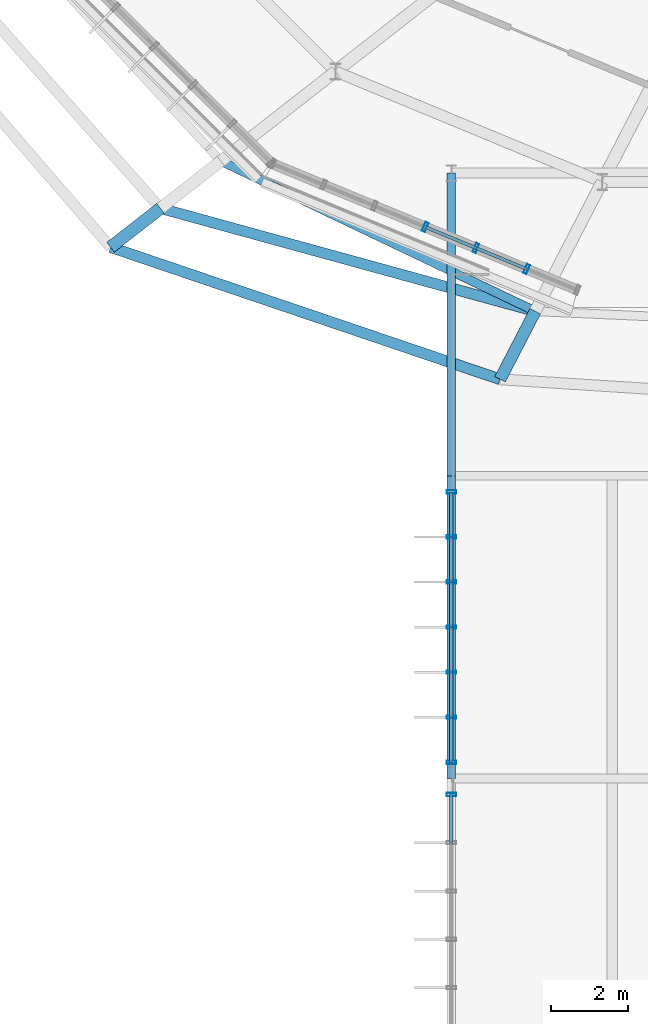
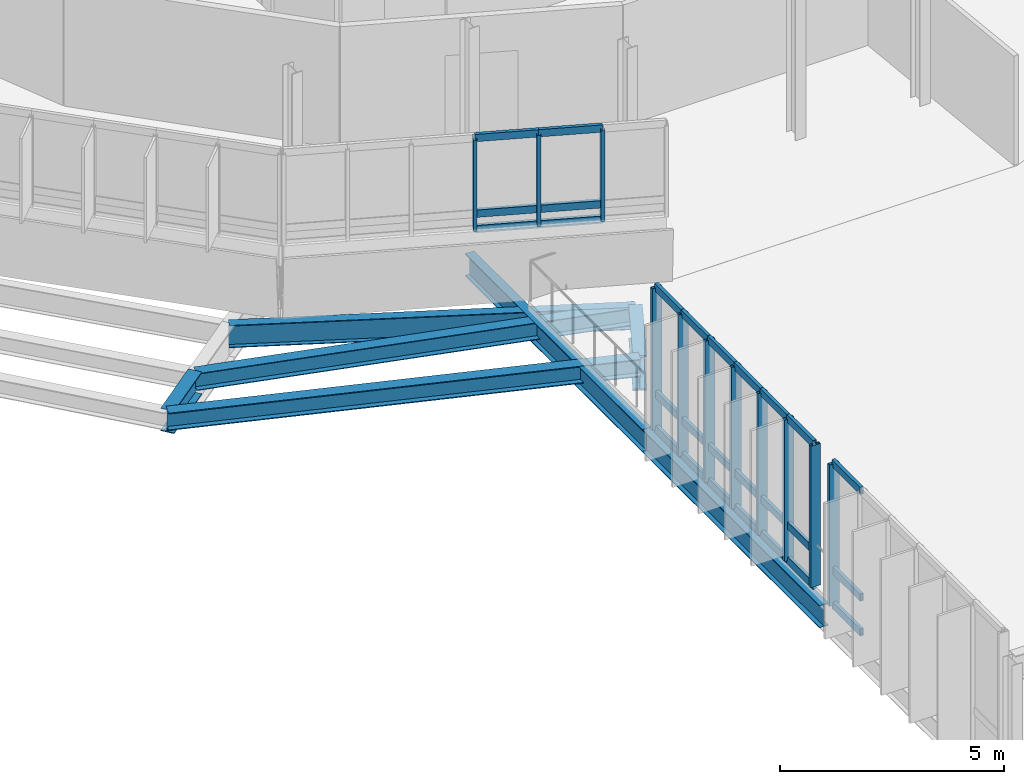
# One storey, part 17 of 107: 38 members, 7 beams, 3 elements without a shape of their own.
"""IFC4 building model written with IfcOpenShell, lengths in metres."""

import ifcopenshell
import ifcopenshell.guid

model = None  # the IFC model being written
_history = None  # IfcOwnerHistory: only IFC2X3 demands one
_inside = {}  # id of a spatial element -> (the spatial element, [elements in it])
_under = {}  # id of a project, library or spatial element -> (it, [spatial elements below it])
_declared = {}  # id of a project -> (the project, [libraries it declares])
_typed = {}  # id of a type object -> (the type object, [elements of that type])
_made_of = {}  # id of a material, layer set ... -> (it, [elements and type objects made of it])


def new_model(schema):
    """Start an empty IFC model of exactly this schema.

    Asked for "IFC4X3", IfcOpenShell would pick the latest addendum, in which some entities
    have other attributes; the version numbers below select the first issue.
    IFC2X3 requires an IfcOwnerHistory on every rooted entity: one is made here for all.
    """
    global model, _history
    if schema == "IFC4X3":
        model = ifcopenshell.file(schema_version=(4, 3, 0, 0))
    else:
        model = ifcopenshell.file(schema=schema)
    _inside.clear()
    _under.clear()
    _declared.clear()
    _typed.clear()
    _made_of.clear()
    _history = None
    if model.schema == "IFC2X3":
        org = make("IfcOrganization", Name="unknown")
        user = make(
            "IfcPersonAndOrganization",
            ThePerson=make("IfcPerson", FamilyName="unknown"),
            TheOrganization=org,
        )
        app = make(
            "IfcApplication",
            ApplicationDeveloper=org,
            Version="unknown",
            ApplicationFullName="unknown",
            ApplicationIdentifier="unknown",
        )
        _history = make(
            "IfcOwnerHistory",
            OwningUser=user,
            OwningApplication=app,
            ChangeAction="ADDED",
            CreationDate=0,
        )
    return model


def make(cls, **values):
    """One entity of the class cls with the attributes given. An attribute that is None is left unset."""
    return model.create_entity(
        cls, **{name: value for name, value in values.items() if value is not None}
    )


def rooted(cls, **values):
    """An entity with a GlobalId (a new one), such as an element, a storey or a relation."""
    return make(cls, GlobalId=ifcopenshell.guid.new(), OwnerHistory=_history, **values)


def si_unit(unit_type, name, prefix=None):
    """IfcSIUnit, for example si_unit("LENGTHUNIT", "METRE", prefix="MILLI")."""
    return make("IfcSIUnit", UnitType=unit_type, Prefix=prefix, Name=name)


def derived_unit(unit_type, elements):
    """IfcDerivedUnit: a product of units, each with its exponent."""
    return make(
        "IfcDerivedUnit",
        Elements=[
            make("IfcDerivedUnitElement", Unit=unit, Exponent=power)
            for unit, power in elements
        ],
        UnitType=unit_type,
    )


def assignment(units):
    """IfcUnitAssignment: the units of a project."""
    return None if units is None else make("IfcUnitAssignment", Units=units)


def point(xyz):
    """IfcCartesianPoint."""
    return None if xyz is None else make("IfcCartesianPoint", Coordinates=xyz)


def direction(xyz):
    """IfcDirection."""
    return None if xyz is None else make("IfcDirection", DirectionRatios=xyz)


def frame(location, z_axis=None, x_axis=None):
    """IfcAxis2Placement3D, a coordinate frame: its origin and axes. An axis left out is left unset."""
    return make(
        "IfcAxis2Placement3D",
        Location=point(location),
        Axis=direction(z_axis),
        RefDirection=direction(x_axis),
    )


def frame_2d(location, x_axis=None):
    """IfcAxis2Placement2D, a coordinate frame in the plane: its origin and x axis."""
    return make(
        "IfcAxis2Placement2D", Location=point(location), RefDirection=direction(x_axis)
    )


def origin():
    """The frame at (0, 0, 0) with its axes left unset."""
    return frame((0.0, 0.0, 0.0))


def origin_2d():
    """The frame at (0, 0) in the plane with its x axis left unset."""
    return frame_2d((0.0, 0.0))


def place(relative_to, where):
    """IfcLocalPlacement: puts the frame where relative to a parent placement (None: the world)."""
    return make(
        "IfcLocalPlacement", PlacementRelTo=relative_to, RelativePlacement=where
    )


def context(
    kind, dimensions, precision=None, world=None, true_north=None, identifier=None
):
    """IfcGeometricRepresentationContext, for example the 3D "Model" context."""
    return make(
        "IfcGeometricRepresentationContext",
        ContextIdentifier=identifier,
        ContextType=kind,
        CoordinateSpaceDimension=dimensions,
        Precision=precision,
        WorldCoordinateSystem=world,
        TrueNorth=true_north,
    )


def subcontext(parent, identifier, kind, view, scale=None):
    """IfcGeometricRepresentationSubContext, for example "Body" below "Model"."""
    return make(
        "IfcGeometricRepresentationSubContext",
        ContextIdentifier=identifier,
        ContextType=kind,
        ParentContext=parent,
        TargetScale=scale,
        TargetView=view,
    )


def project(units=None, contexts=None):
    """IfcProject with its units and contexts."""
    return rooted(
        "IfcProject",
        Name="project",
        RepresentationContexts=contexts,
        UnitsInContext=assignment(units),
    )


def spatial(cls, under=None, at=None, **own):
    """A site, building, storey or space (cls), placed at a placement, below another one or the project."""
    s = rooted(cls, ObjectPlacement=at, **own)
    if under is not None:
        _under.setdefault(under.id(), (under, []))[1].append(s)
    return s


def profile(cls, at=None, kind="AREA", **sizes):
    """A parametric profile (cls). Its sizes go by their IFC names, for example OverallWidth=200.0."""
    return make(cls, ProfileType=kind, Position=at, **sizes)


def hollow_rectangle(**sizes):
    """IfcRectangleHollowProfileDef."""
    return profile("IfcRectangleHollowProfileDef", **sizes)


def i_section(**sizes):
    """IfcIShapeProfileDef."""
    return profile("IfcIShapeProfileDef", **sizes)


def extrude(swept, where, along, depth):
    """IfcExtrudedAreaSolid: the profile swept, set in the frame where, extruded along a direction by depth."""
    return make(
        "IfcExtrudedAreaSolid",
        SweptArea=swept,
        Position=where,
        ExtrudedDirection=direction(along),
        Depth=depth,
    )


def shape(context_of_items, identifier, shape_type, items):
    """IfcShapeRepresentation: the items that make up one representation, for example the "Body"."""
    return make(
        "IfcShapeRepresentation",
        ContextOfItems=context_of_items,
        RepresentationIdentifier=identifier,
        RepresentationType=shape_type,
        Items=items,
    )


def material(Name=None, Category=None):
    """IfcMaterial."""
    return make("IfcMaterial", Name=Name, Category=Category)


def layer(
    of_material, thickness, ventilated=None, Name=None, Category=None, Priority=None
):
    """IfcMaterialLayer: one layer of a wall or slab, of a material (None: an air gap)."""
    return make(
        "IfcMaterialLayer",
        Material=of_material,
        LayerThickness=thickness,
        IsVentilated=ventilated,
        Name=Name,
        Category=Category,
        Priority=Priority,
    )


def layer_set(layers, Name=None):
    """IfcMaterialLayerSet."""
    return make("IfcMaterialLayerSet", MaterialLayers=layers, LayerSetName=Name)


def material_profile(
    of_material, cross_section, Name=None, Category=None, Priority=None
):
    """IfcMaterialProfile: a cross section and its material."""
    return make(
        "IfcMaterialProfile",
        Name=Name,
        Material=of_material,
        Profile=cross_section,
        Priority=Priority,
        Category=Category,
    )


def profile_set(profiles, Name=None, composite=None):
    """IfcMaterialProfileSet."""
    return make(
        "IfcMaterialProfileSet",
        Name=Name,
        MaterialProfiles=profiles,
        CompositeProfile=composite,
    )


def made_of(thing, what):
    """Note that an element or type object is made of a material, layer set ...; save() writes the relation."""
    if what is not None:
        _made_of.setdefault(what.id(), (what, []))[1].append(thing)
    return thing


def type_object(cls, material=None, **own):
    """A type object (cls), such as IfcWallType, which elements share."""
    return made_of(rooted(cls, **own), material)


def element(
    cls,
    number,
    at=None,
    inside=None,
    cuts=None,
    type_object=None,
    material=None,
    context=None,
    identifier="Body",
    shape_type=None,
    held_by="IfcProductDefinitionShape",
    body=None,
    shapes=None,
    **own,
):
    """One element of the class cls, such as IfcWall. Its Tag is "e" and its number.

    at: its placement. inside: the storey or other place that contains it. cuts: it is an
    opening in that element (IfcRelVoidsElement). A single representation is given by context,
    identifier, shape_type and body (its items); several are given by shapes. held_by: the class
    of the entity that holds the representations. save() writes the other relations.
    """
    e = rooted(cls, Tag="e%d" % number, ObjectPlacement=at, **own)
    if body is not None:
        shapes = [shape(context, identifier, shape_type, body)]
    if shapes is not None:
        e.Representation = make(held_by, Representations=shapes)
    if inside is not None:
        _inside.setdefault(inside.id(), (inside, []))[1].append(e)
    if cuts is not None:
        rooted(
            "IfcRelVoidsElement", RelatingBuildingElement=cuts, RelatedOpeningElement=e
        )
    if type_object is not None:
        _typed.setdefault(type_object.id(), (type_object, []))[1].append(e)
    return made_of(e, material)


def aggregate(whole, parts):
    """IfcRelAggregates: a whole, such as a stair, and the parts it consists of."""
    return rooted("IfcRelAggregates", RelatingObject=whole, RelatedObjects=parts)


def save(model, path):
    """Write the relations noted so far, then the file.

    IfcRelAggregates (storeys below a building ...), IfcRelContainedInSpatialStructure (elements
    in a storey), IfcRelDefinesByType, IfcRelAssociatesMaterial and IfcRelDeclares: one each for
    every whole, place, type object, material and project.
    """
    for whole, parts in _under.values():
        aggregate(whole, parts)
    for where, things in _inside.values():
        rooted(
            "IfcRelContainedInSpatialStructure",
            RelatedElements=things,
            RelatingStructure=where,
        )
    for kind, things in _typed.values():
        rooted("IfcRelDefinesByType", RelatedObjects=things, RelatingType=kind)
    for what, things in _made_of.values():
        rooted("IfcRelAssociatesMaterial", RelatedObjects=things, RelatingMaterial=what)
    for by, libraries in _declared.values():
        rooted("IfcRelDeclares", RelatingContext=by, RelatedDefinitions=libraries)
    model.write(path)


model = new_model("IFC4")

# Units and contexts
model_context = context("Model", 3, precision=1e-05, world=origin(), true_north=direction((0.0, 1.0)))
body_context = subcontext(model_context, "Body", "Model", "MODEL_VIEW")
ifc_project = project(units=[si_unit("LENGTHUNIT", "METRE"), si_unit("AREAUNIT", "SQUARE_METRE"), si_unit("VOLUMEUNIT", "CUBIC_METRE"), si_unit("PLANEANGLEUNIT", "RADIAN"), si_unit("MASSUNIT", "GRAM", prefix="KILO"), derived_unit("THERMALTRANSMITTANCEUNIT", [(si_unit("MASSUNIT", "GRAM", prefix="KILO"), 1), (si_unit("TIMEUNIT", "SECOND"), -3), (si_unit("THERMODYNAMICTEMPERATUREUNIT", "KELVIN"), -1)])], contexts=[model_context])

# Site, building, storey
site_placement = place(None, origin())
site = spatial("IfcSite", under=ifc_project, at=site_placement, CompositionType="ELEMENT")
building_placement = place(site_placement, origin())
building = spatial("IfcBuilding", under=site, at=building_placement, Name="Makaiwela Harbour Ferry Terminal", CompositionType="ELEMENT")
storey_placement = place(building_placement, frame((0.0, 0.0, 9.60009765625)))
storey = spatial("IfcBuildingStorey", under=building, at=storey_placement, Name="L02", CompositionType="ELEMENT", Elevation=9.60009765625)

# Curtain wall, members
ifc_material_1 = material(Name="Marine anodised aluminium 6063-T6", Category="aluminium")
ifc_layer_1 = layer(ifc_material_1, 0.199951171875)
ifc_layer_set_1 = layer_set([ifc_layer_1], Name="Marine anodised aluminium 6063-T6")
curtain_wall_type_1 = type_object("IfcCurtainWallType", Name="ENV-CW-04", PredefinedType="USERDEFINED", material=ifc_layer_set_1)
curtain_wall_1_placement = place(storey_placement, origin())
curtain_wall_1 = element("IfcCurtainWall", 1, at=curtain_wall_1_placement, inside=storey, type_object=curtain_wall_type_1, Name="Unitised Curtain Wall CWA-026", ObjectType="UNITIZED CURTAIN WALL", PredefinedType="USERDEFINED")
ifc_material_profile_1 = material_profile(ifc_material_1, hollow_rectangle(XDim=0.0849609375, YDim=0.25, WallThickness=0.0048828125, at=origin_2d()), Name="CWM-250X85")
ifc_profile_set_1 = profile_set([ifc_material_profile_1], Name="Marine anodised aluminium 6063-T6")
member_type_1 = type_object("IfcMemberType", Name="CW-MUL-250", PredefinedType="MULLION", material=ifc_profile_set_1)
member_1_placement = place(storey_placement, frame((28.717529296875, 47.993896484375, 1.47998046875), z_axis=(0.0, 0.0, 1.0), x_axis=(-0.923879532511, 0.382683432365, 0.0)))
member_1 = element("IfcMember", 2, at=member_1_placement, type_object=member_type_1, Name="Curtain Wall Mullion CWA-026-4", PredefinedType="MULLION", context=body_context, shape_type="SweptSolid", body=[
    extrude(hollow_rectangle(XDim=0.0849609375, YDim=0.25, WallThickness=0.0048828125, at=origin_2d()), origin(), (0.0, 0.0, 1.0), 2.47998046875),
])
member_2_placement = place(storey_placement, frame((30.042236328125, 47.4453125, 1.47998046875), z_axis=(0.0, 0.0, 1.0), x_axis=(-0.923879532511, 0.382683432365, 0.0)))
member_2 = element("IfcMember", 3, at=member_2_placement, type_object=member_type_1, Name="Curtain Wall Mullion CWA-026-5", PredefinedType="MULLION", context=body_context, shape_type="SweptSolid", body=[
    extrude(hollow_rectangle(XDim=0.0849609375, YDim=0.25, WallThickness=0.0048828125, at=origin_2d()), origin(), (0.0, 0.0, 1.0), 2.47998046875),
])
member_3_placement = place(storey_placement, frame((31.36669921875, 46.896728515625, 1.47998046875), z_axis=(0.0, 0.0, 1.0), x_axis=(-0.923879532511, 0.382683432365, 0.0)))
member_3 = element("IfcMember", 4, at=member_3_placement, type_object=member_type_1, Name="Curtain Wall Mullion CWA-026-6", PredefinedType="MULLION", context=body_context, shape_type="SweptSolid", body=[
    extrude(hollow_rectangle(XDim=0.0849609375, YDim=0.25, WallThickness=0.0048828125, at=origin_2d()), origin(), (0.0, 0.0, 1.0), 2.47998046875),
])

# Curtain wall, member
ifc_layer_2 = layer(ifc_material_1, 0.199951171875)
ifc_layer_set_2 = layer_set([ifc_layer_2], Name="Marine anodised aluminium 6063-T6")
curtain_wall_type_2 = type_object("IfcCurtainWallType", Name="ENV-CW-09", PredefinedType="USERDEFINED", material=ifc_layer_set_2)
curtain_wall_2_placement = place(storey_placement, origin())
curtain_wall_2 = element("IfcCurtainWall", 5, at=curtain_wall_2_placement, inside=storey, type_object=curtain_wall_type_2, Name="Unitised Curtain Wall CWA-116", ObjectType="UNITIZED CURTAIN WALL", PredefinedType="USERDEFINED")
member_4_placement = place(storey_placement, frame((29.39990234375, 33.179931640625, 0.0), z_axis=(0.0, 0.0, 1.0), x_axis=(0.0, 1.0, 0.0)))
member_4 = element("IfcMember", 6, at=member_4_placement, type_object=member_type_1, Name="Curtain Wall Mullion CWA-116-7", PredefinedType="MULLION", context=body_context, shape_type="SweptSolid", body=[
    extrude(hollow_rectangle(XDim=0.0849609375, YDim=0.25, WallThickness=0.0048828125, at=origin_2d()), origin(), (0.0, 0.0, 1.0), 3.849853515625),
])

# Curtain wall, members
ifc_layer_3 = layer(ifc_material_1, 0.199951171875)
ifc_layer_set_3 = layer_set([ifc_layer_3], Name="Marine anodised aluminium 6063-T6")
curtain_wall_type_3 = type_object("IfcCurtainWallType", Name="ENV-CW-14", PredefinedType="USERDEFINED", material=ifc_layer_set_3)
curtain_wall_3_placement = place(storey_placement, origin())
curtain_wall_3 = element("IfcCurtainWall", 7, at=curtain_wall_3_placement, inside=storey, type_object=curtain_wall_type_3, Name="Unitised Curtain Wall CWA-119", ObjectType="UNITIZED CURTAIN WALL", PredefinedType="USERDEFINED")
member_5_placement = place(storey_placement, frame((29.39990234375, 34.02001953125, 0.0), z_axis=(0.0, 0.0, 1.0), x_axis=(0.0, 1.0, 0.0)))
member_5 = element("IfcMember", 8, at=member_5_placement, type_object=member_type_1, Name="Curtain Wall Mullion CWA-119-1", PredefinedType="MULLION", context=body_context, shape_type="SweptSolid", body=[
    extrude(hollow_rectangle(XDim=0.0849609375, YDim=0.25, WallThickness=0.0048828125, at=origin_2d()), origin(), (0.0, 0.0, 1.0), 3.849853515625),
])
member_6_placement = place(storey_placement, frame((29.39990234375, 35.19677734375, 0.0), z_axis=(0.0, 0.0, 1.0), x_axis=(0.0, 1.0, 0.0)))
member_6 = element("IfcMember", 9, at=member_6_placement, type_object=member_type_1, Name="Curtain Wall Mullion CWA-119-2", PredefinedType="MULLION", context=body_context, shape_type="SweptSolid", body=[
    extrude(hollow_rectangle(XDim=0.0849609375, YDim=0.25, WallThickness=0.0048828125, at=origin_2d()), origin(), (0.0, 0.0, 1.0), 3.849853515625),
])
member_7_placement = place(storey_placement, frame((29.39990234375, 36.373291015625, 0.0), z_axis=(0.0, 0.0, 1.0), x_axis=(0.0, 1.0, 0.0)))
member_7 = element("IfcMember", 10, at=member_7_placement, type_object=member_type_1, Name="Curtain Wall Mullion CWA-119-3", PredefinedType="MULLION", context=body_context, shape_type="SweptSolid", body=[
    extrude(hollow_rectangle(XDim=0.0849609375, YDim=0.25, WallThickness=0.0048828125, at=origin_2d()), origin(), (0.0, 0.0, 1.0), 3.849853515625),
])
member_8_placement = place(storey_placement, frame((29.39990234375, 37.550048828125, 0.0), z_axis=(0.0, 0.0, 1.0), x_axis=(0.0, 1.0, 0.0)))
member_8 = element("IfcMember", 11, at=member_8_placement, type_object=member_type_1, Name="Curtain Wall Mullion CWA-119-4", PredefinedType="MULLION", context=body_context, shape_type="SweptSolid", body=[
    extrude(hollow_rectangle(XDim=0.0849609375, YDim=0.25, WallThickness=0.0048828125, at=origin_2d()), origin(), (0.0, 0.0, 1.0), 3.849853515625),
])
member_9_placement = place(storey_placement, frame((29.39990234375, 38.726806640625, 0.0), z_axis=(0.0, 0.0, 1.0), x_axis=(0.0, 1.0, 0.0)))
member_9 = element("IfcMember", 12, at=member_9_placement, type_object=member_type_1, Name="Curtain Wall Mullion CWA-119-5", PredefinedType="MULLION", context=body_context, shape_type="SweptSolid", body=[
    extrude(hollow_rectangle(XDim=0.0849609375, YDim=0.25, WallThickness=0.0048828125, at=origin_2d()), origin(), (0.0, 0.0, 1.0), 3.849853515625),
])
member_10_placement = place(storey_placement, frame((29.39990234375, 39.9033203125, 0.0), z_axis=(0.0, 0.0, 1.0), x_axis=(0.0, 1.0, 0.0)))
member_10 = element("IfcMember", 13, at=member_10_placement, type_object=member_type_1, Name="Curtain Wall Mullion CWA-119-6", PredefinedType="MULLION", context=body_context, shape_type="SweptSolid", body=[
    extrude(hollow_rectangle(XDim=0.0849609375, YDim=0.25, WallThickness=0.0048828125, at=origin_2d()), origin(), (0.0, 0.0, 1.0), 3.849853515625),
])
member_11_placement = place(storey_placement, frame((29.39990234375, 41.080078125, 0.0), z_axis=(0.0, 0.0, 1.0), x_axis=(0.0, 1.0, 0.0)))
member_11 = element("IfcMember", 14, at=member_11_placement, type_object=member_type_1, Name="Curtain Wall Mullion CWA-119-7", PredefinedType="MULLION", context=body_context, shape_type="SweptSolid", body=[
    extrude(hollow_rectangle(XDim=0.0849609375, YDim=0.25, WallThickness=0.0048828125, at=origin_2d()), origin(), (0.0, 0.0, 1.0), 3.849853515625),
])

# Member
ifc_material_profile_2 = material_profile(ifc_material_1, hollow_rectangle(XDim=0.0849609375, YDim=0.199951171875, WallThickness=0.0048828125, at=origin_2d()), Name="CWT-200X85")
ifc_profile_set_2 = profile_set([ifc_material_profile_2], Name="Marine anodised aluminium 6063-T6")
member_type_2 = type_object("IfcMemberType", Name="CW-TRN-200", PredefinedType="USERDEFINED", material=ifc_profile_set_2)
member_12_placement = place(storey_placement, frame((28.717529296875, 47.993896484375, 1.47998046875), z_axis=(0.923911001953, -0.382607449574, 0.0), x_axis=(0.382607449574, 0.923911001953, 0.0)))
member_12 = element("IfcMember", 15, at=member_12_placement, type_object=member_type_2, Name="Curtain Wall Transom CWA-026-4-1", ObjectType="TRANSOM", PredefinedType="USERDEFINED", context=body_context, shape_type="SweptSolid", body=[
    extrude(hollow_rectangle(XDim=0.0849609375, YDim=0.199951171875, WallThickness=0.0048828125, at=origin_2d()), origin(), (0.0, 0.0, 1.0), 1.433837890625),
])

member_13_placement = place(storey_placement, frame((28.717529296875, 47.993896484375, 1.89990234375), z_axis=(0.923911001953, -0.382607449574, 0.0), x_axis=(0.382607449574, 0.923911001953, 0.0)))
member_13 = element("IfcMember", 16, at=member_13_placement, type_object=member_type_2, Name="Curtain Wall Transom CWA-026-4-2", ObjectType="TRANSOM", PredefinedType="USERDEFINED", context=body_context, shape_type="SweptSolid", body=[
    extrude(hollow_rectangle(XDim=0.0849609375, YDim=0.199951171875, WallThickness=0.0048828125, at=origin_2d()), origin(), (0.0, 0.0, 1.0), 1.433837890625),
])

member_14_placement = place(storey_placement, frame((28.717529296875, 47.993896484375, 3.9599609375), z_axis=(0.923911001953, -0.382607449574, 0.0), x_axis=(0.382607449574, 0.923911001953, 0.0)))
member_14 = element("IfcMember", 17, at=member_14_placement, type_object=member_type_2, Name="Curtain Wall Transom CWA-026-4-3", ObjectType="TRANSOM", PredefinedType="USERDEFINED", context=body_context, shape_type="SweptSolid", body=[
    extrude(hollow_rectangle(XDim=0.0849609375, YDim=0.199951171875, WallThickness=0.0048828125, at=origin_2d()), origin(), (0.0, 0.0, 1.0), 1.433837890625),
])

member_15_placement = place(storey_placement, frame((30.042236328125, 47.4453125, 1.47998046875), z_axis=(0.923886069806, -0.382667649558, 0.0), x_axis=(0.382667649558, 0.923886069806, 0.0)))
member_15 = element("IfcMember", 18, at=member_15_placement, type_object=member_type_2, Name="Curtain Wall Transom CWA-026-5-1", ObjectType="TRANSOM", PredefinedType="USERDEFINED", context=body_context, shape_type="SweptSolid", body=[
    extrude(hollow_rectangle(XDim=0.0849609375, YDim=0.199951171875, WallThickness=0.0048828125, at=origin_2d()), origin(), (0.0, 0.0, 1.0), 1.43359375),
])

member_16_placement = place(storey_placement, frame((30.042236328125, 47.4453125, 1.89990234375), z_axis=(0.923886069806, -0.382667649558, 0.0), x_axis=(0.382667649558, 0.923886069806, 0.0)))
member_16 = element("IfcMember", 19, at=member_16_placement, type_object=member_type_2, Name="Curtain Wall Transom CWA-026-5-2", ObjectType="TRANSOM", PredefinedType="USERDEFINED", context=body_context, shape_type="SweptSolid", body=[
    extrude(hollow_rectangle(XDim=0.0849609375, YDim=0.199951171875, WallThickness=0.0048828125, at=origin_2d()), origin(), (0.0, 0.0, 1.0), 1.43359375),
])

member_17_placement = place(storey_placement, frame((30.042236328125, 47.4453125, 3.9599609375), z_axis=(0.923886069806, -0.382667649558, 0.0), x_axis=(0.382667649558, 0.923886069806, 0.0)))
member_17 = element("IfcMember", 20, at=member_17_placement, type_object=member_type_2, Name="Curtain Wall Transom CWA-026-5-3", ObjectType="TRANSOM", PredefinedType="USERDEFINED", context=body_context, shape_type="SweptSolid", body=[
    extrude(hollow_rectangle(XDim=0.0849609375, YDim=0.199951171875, WallThickness=0.0048828125, at=origin_2d()), origin(), (0.0, 0.0, 1.0), 1.43359375),
])

aggregate(curtain_wall_1, [member_1, member_2, member_3, member_12, member_13, member_14, member_15, member_16, member_17])

member_18_placement = place(storey_placement, frame((29.39990234375, 31.919921875, 0.0), z_axis=(0.0, 1.0, 0.0), x_axis=(-1.0, 0.0, 0.0)))
member_18 = element("IfcMember", 21, at=member_18_placement, type_object=member_type_2, Name="Curtain Wall Transom CWA-116-6-1", ObjectType="TRANSOM", PredefinedType="USERDEFINED", context=body_context, shape_type="SweptSolid", body=[
    extrude(hollow_rectangle(XDim=0.0849609375, YDim=0.199951171875, WallThickness=0.0048828125, at=origin_2d()), origin(), (0.0, 0.0, 1.0), 1.260009765625),
])

member_19_placement = place(storey_placement, frame((29.39990234375, 31.919921875, 0.949951171875), z_axis=(0.0, 1.0, 0.0), x_axis=(-1.0, 0.0, 0.0)))
member_19 = element("IfcMember", 22, at=member_19_placement, type_object=member_type_2, Name="Curtain Wall Transom CWA-116-6-2", ObjectType="TRANSOM", PredefinedType="USERDEFINED", context=body_context, shape_type="SweptSolid", body=[
    extrude(hollow_rectangle(XDim=0.0849609375, YDim=0.199951171875, WallThickness=0.0048828125, at=origin_2d()), origin(), (0.0, 0.0, 1.0), 1.260009765625),
])

member_20_placement = place(storey_placement, frame((29.39990234375, 31.919921875, 3.849853515625), z_axis=(0.0, 1.0, 0.0), x_axis=(-1.0, 0.0, 0.0)))
member_20 = element("IfcMember", 23, at=member_20_placement, type_object=member_type_2, Name="Curtain Wall Transom CWA-116-6-3", ObjectType="TRANSOM", PredefinedType="USERDEFINED", context=body_context, shape_type="SweptSolid", body=[
    extrude(hollow_rectangle(XDim=0.0849609375, YDim=0.199951171875, WallThickness=0.0048828125, at=origin_2d()), origin(), (0.0, 0.0, 1.0), 1.260009765625),
])

aggregate(curtain_wall_2, [member_4, member_18, member_19, member_20])

member_21_placement = place(storey_placement, frame((29.39990234375, 34.02001953125, 0.0), z_axis=(0.0, 1.0, 0.0), x_axis=(-1.0, 0.0, 0.0)))
member_21 = element("IfcMember", 24, at=member_21_placement, type_object=member_type_2, Name="Curtain Wall Transom CWA-119-1-1", ObjectType="TRANSOM", PredefinedType="USERDEFINED", context=body_context, shape_type="SweptSolid", body=[
    extrude(hollow_rectangle(XDim=0.0849609375, YDim=0.199951171875, WallThickness=0.0048828125, at=origin_2d()), origin(), (0.0, 0.0, 1.0), 1.1767578125),
])

member_22_placement = place(storey_placement, frame((29.39990234375, 34.02001953125, 0.949951171875), z_axis=(0.0, 1.0, 0.0), x_axis=(-1.0, 0.0, 0.0)))
member_22 = element("IfcMember", 25, at=member_22_placement, type_object=member_type_2, Name="Curtain Wall Transom CWA-119-1-2", ObjectType="TRANSOM", PredefinedType="USERDEFINED", context=body_context, shape_type="SweptSolid", body=[
    extrude(hollow_rectangle(XDim=0.0849609375, YDim=0.199951171875, WallThickness=0.0048828125, at=origin_2d()), origin(), (0.0, 0.0, 1.0), 1.1767578125),
])

member_23_placement = place(storey_placement, frame((29.39990234375, 34.02001953125, 3.849853515625), z_axis=(0.0, 1.0, 0.0), x_axis=(-1.0, 0.0, 0.0)))
member_23 = element("IfcMember", 26, at=member_23_placement, type_object=member_type_2, Name="Curtain Wall Transom CWA-119-1-3", ObjectType="TRANSOM", PredefinedType="USERDEFINED", context=body_context, shape_type="SweptSolid", body=[
    extrude(hollow_rectangle(XDim=0.0849609375, YDim=0.199951171875, WallThickness=0.0048828125, at=origin_2d()), origin(), (0.0, 0.0, 1.0), 1.1767578125),
])

member_24_placement = place(storey_placement, frame((29.39990234375, 35.19677734375, 0.0), z_axis=(0.0, 1.0, 0.0), x_axis=(-1.0, 0.0, 0.0)))
member_24 = element("IfcMember", 27, at=member_24_placement, type_object=member_type_2, Name="Curtain Wall Transom CWA-119-2-1", ObjectType="TRANSOM", PredefinedType="USERDEFINED", context=body_context, shape_type="SweptSolid", body=[
    extrude(hollow_rectangle(XDim=0.0849609375, YDim=0.199951171875, WallThickness=0.0048828125, at=origin_2d()), origin(), (0.0, 0.0, 1.0), 1.176513671875),
])

member_25_placement = place(storey_placement, frame((29.39990234375, 35.19677734375, 0.949951171875), z_axis=(0.0, 1.0, 0.0), x_axis=(-1.0, 0.0, 0.0)))
member_25 = element("IfcMember", 28, at=member_25_placement, type_object=member_type_2, Name="Curtain Wall Transom CWA-119-2-2", ObjectType="TRANSOM", PredefinedType="USERDEFINED", context=body_context, shape_type="SweptSolid", body=[
    extrude(hollow_rectangle(XDim=0.0849609375, YDim=0.199951171875, WallThickness=0.0048828125, at=origin_2d()), origin(), (0.0, 0.0, 1.0), 1.176513671875),
])

member_26_placement = place(storey_placement, frame((29.39990234375, 35.19677734375, 3.849853515625), z_axis=(0.0, 1.0, 0.0), x_axis=(-1.0, 0.0, 0.0)))
member_26 = element("IfcMember", 29, at=member_26_placement, type_object=member_type_2, Name="Curtain Wall Transom CWA-119-2-3", ObjectType="TRANSOM", PredefinedType="USERDEFINED", context=body_context, shape_type="SweptSolid", body=[
    extrude(hollow_rectangle(XDim=0.0849609375, YDim=0.199951171875, WallThickness=0.0048828125, at=origin_2d()), origin(), (0.0, 0.0, 1.0), 1.176513671875),
])

member_27_placement = place(storey_placement, frame((29.39990234375, 36.373291015625, 0.0), z_axis=(0.0, 1.0, 0.0), x_axis=(-1.0, 0.0, 0.0)))
member_27 = element("IfcMember", 30, at=member_27_placement, type_object=member_type_2, Name="Curtain Wall Transom CWA-119-3-1", ObjectType="TRANSOM", PredefinedType="USERDEFINED", context=body_context, shape_type="SweptSolid", body=[
    extrude(hollow_rectangle(XDim=0.0849609375, YDim=0.199951171875, WallThickness=0.0048828125, at=origin_2d()), origin(), (0.0, 0.0, 1.0), 1.1767578125),
])

member_28_placement = place(storey_placement, frame((29.39990234375, 36.373291015625, 0.949951171875), z_axis=(0.0, 1.0, 0.0), x_axis=(-1.0, 0.0, 0.0)))
member_28 = element("IfcMember", 31, at=member_28_placement, type_object=member_type_2, Name="Curtain Wall Transom CWA-119-3-2", ObjectType="TRANSOM", PredefinedType="USERDEFINED", context=body_context, shape_type="SweptSolid", body=[
    extrude(hollow_rectangle(XDim=0.0849609375, YDim=0.199951171875, WallThickness=0.0048828125, at=origin_2d()), origin(), (0.0, 0.0, 1.0), 1.1767578125),
])

member_29_placement = place(storey_placement, frame((29.39990234375, 36.373291015625, 3.849853515625), z_axis=(0.0, 1.0, 0.0), x_axis=(-1.0, 0.0, 0.0)))
member_29 = element("IfcMember", 32, at=member_29_placement, type_object=member_type_2, Name="Curtain Wall Transom CWA-119-3-3", ObjectType="TRANSOM", PredefinedType="USERDEFINED", context=body_context, shape_type="SweptSolid", body=[
    extrude(hollow_rectangle(XDim=0.0849609375, YDim=0.199951171875, WallThickness=0.0048828125, at=origin_2d()), origin(), (0.0, 0.0, 1.0), 1.1767578125),
])

member_30_placement = place(storey_placement, frame((29.39990234375, 37.550048828125, 0.0), z_axis=(0.0, 1.0, 0.0), x_axis=(-1.0, 0.0, 0.0)))
member_30 = element("IfcMember", 33, at=member_30_placement, type_object=member_type_2, Name="Curtain Wall Transom CWA-119-4-1", ObjectType="TRANSOM", PredefinedType="USERDEFINED", context=body_context, shape_type="SweptSolid", body=[
    extrude(hollow_rectangle(XDim=0.0849609375, YDim=0.199951171875, WallThickness=0.0048828125, at=origin_2d()), origin(), (0.0, 0.0, 1.0), 1.1767578125),
])

member_31_placement = place(storey_placement, frame((29.39990234375, 37.550048828125, 0.949951171875), z_axis=(0.0, 1.0, 0.0), x_axis=(-1.0, 0.0, 0.0)))
member_31 = element("IfcMember", 34, at=member_31_placement, type_object=member_type_2, Name="Curtain Wall Transom CWA-119-4-2", ObjectType="TRANSOM", PredefinedType="USERDEFINED", context=body_context, shape_type="SweptSolid", body=[
    extrude(hollow_rectangle(XDim=0.0849609375, YDim=0.199951171875, WallThickness=0.0048828125, at=origin_2d()), origin(), (0.0, 0.0, 1.0), 1.1767578125),
])

member_32_placement = place(storey_placement, frame((29.39990234375, 37.550048828125, 3.849853515625), z_axis=(0.0, 1.0, 0.0), x_axis=(-1.0, 0.0, 0.0)))
member_32 = element("IfcMember", 35, at=member_32_placement, type_object=member_type_2, Name="Curtain Wall Transom CWA-119-4-3", ObjectType="TRANSOM", PredefinedType="USERDEFINED", context=body_context, shape_type="SweptSolid", body=[
    extrude(hollow_rectangle(XDim=0.0849609375, YDim=0.199951171875, WallThickness=0.0048828125, at=origin_2d()), origin(), (0.0, 0.0, 1.0), 1.1767578125),
])

member_33_placement = place(storey_placement, frame((29.39990234375, 38.726806640625, 0.0), z_axis=(0.0, 1.0, 0.0), x_axis=(-1.0, 0.0, 0.0)))
member_33 = element("IfcMember", 36, at=member_33_placement, type_object=member_type_2, Name="Curtain Wall Transom CWA-119-5-1", ObjectType="TRANSOM", PredefinedType="USERDEFINED", context=body_context, shape_type="SweptSolid", body=[
    extrude(hollow_rectangle(XDim=0.0849609375, YDim=0.199951171875, WallThickness=0.0048828125, at=origin_2d()), origin(), (0.0, 0.0, 1.0), 1.176513671875),
])

member_34_placement = place(storey_placement, frame((29.39990234375, 38.726806640625, 0.949951171875), z_axis=(0.0, 1.0, 0.0), x_axis=(-1.0, 0.0, 0.0)))
member_34 = element("IfcMember", 37, at=member_34_placement, type_object=member_type_2, Name="Curtain Wall Transom CWA-119-5-2", ObjectType="TRANSOM", PredefinedType="USERDEFINED", context=body_context, shape_type="SweptSolid", body=[
    extrude(hollow_rectangle(XDim=0.0849609375, YDim=0.199951171875, WallThickness=0.0048828125, at=origin_2d()), origin(), (0.0, 0.0, 1.0), 1.176513671875),
])

member_35_placement = place(storey_placement, frame((29.39990234375, 38.726806640625, 3.849853515625), z_axis=(0.0, 1.0, 0.0), x_axis=(-1.0, 0.0, 0.0)))
member_35 = element("IfcMember", 38, at=member_35_placement, type_object=member_type_2, Name="Curtain Wall Transom CWA-119-5-3", ObjectType="TRANSOM", PredefinedType="USERDEFINED", context=body_context, shape_type="SweptSolid", body=[
    extrude(hollow_rectangle(XDim=0.0849609375, YDim=0.199951171875, WallThickness=0.0048828125, at=origin_2d()), origin(), (0.0, 0.0, 1.0), 1.176513671875),
])

member_36_placement = place(storey_placement, frame((29.39990234375, 39.9033203125, 0.0), z_axis=(0.0, 1.0, 0.0), x_axis=(-1.0, 0.0, 0.0)))
member_36 = element("IfcMember", 39, at=member_36_placement, type_object=member_type_2, Name="Curtain Wall Transom CWA-119-6-1", ObjectType="TRANSOM", PredefinedType="USERDEFINED", context=body_context, shape_type="SweptSolid", body=[
    extrude(hollow_rectangle(XDim=0.0849609375, YDim=0.199951171875, WallThickness=0.0048828125, at=origin_2d()), origin(), (0.0, 0.0, 1.0), 1.1767578125),
])

member_37_placement = place(storey_placement, frame((29.39990234375, 39.9033203125, 0.949951171875), z_axis=(0.0, 1.0, 0.0), x_axis=(-1.0, 0.0, 0.0)))
member_37 = element("IfcMember", 40, at=member_37_placement, type_object=member_type_2, Name="Curtain Wall Transom CWA-119-6-2", ObjectType="TRANSOM", PredefinedType="USERDEFINED", context=body_context, shape_type="SweptSolid", body=[
    extrude(hollow_rectangle(XDim=0.0849609375, YDim=0.199951171875, WallThickness=0.0048828125, at=origin_2d()), origin(), (0.0, 0.0, 1.0), 1.1767578125),
])

member_38_placement = place(storey_placement, frame((29.39990234375, 39.9033203125, 3.849853515625), z_axis=(0.0, 1.0, 0.0), x_axis=(-1.0, 0.0, 0.0)))
member_38 = element("IfcMember", 41, at=member_38_placement, type_object=member_type_2, Name="Curtain Wall Transom CWA-119-6-3", ObjectType="TRANSOM", PredefinedType="USERDEFINED", context=body_context, shape_type="SweptSolid", body=[
    extrude(hollow_rectangle(XDim=0.0849609375, YDim=0.199951171875, WallThickness=0.0048828125, at=origin_2d()), origin(), (0.0, 0.0, 1.0), 1.1767578125),
])

aggregate(curtain_wall_3, [member_5, member_6, member_7, member_8, member_9, member_10, member_11, member_21, member_22, member_23, member_24, member_25, member_26, member_27, member_28, member_29, member_30, member_31, member_32, member_33, member_34, member_35, member_36, member_37, member_38])

# Beams
ifc_material_2 = material(Name="Steel ASTM A992 Grade 50", Category="steel")
ifc_material_profile_3 = material_profile(ifc_material_2, i_section(OverallWidth=0.280029296875, OverallDepth=0.462890625, WebThickness=0.0107421875, FlangeThickness=0.017333984375, at=origin_2d()), Name="W18X76")
ifc_profile_set_3 = profile_set([ifc_material_profile_3], Name="Steel ASTM A992 Grade 50")
beam_type_1 = type_object("IfcBeamType", Name="STR-BM-W18X76", PredefinedType="BEAM", material=ifc_profile_set_3)
beam_1_placement = place(storey_placement, frame((21.806884765625, 48.48193359375, -0.49169921875), z_axis=(0.96429916079, -0.264815272407, 0.0), x_axis=(0.264815272407, 0.96429916079, 0.0)))
element("IfcBeam", 42, at=beam_1_placement, inside=storey, type_object=beam_type_1, Name="Drum stage2 tie girder 217", PredefinedType="BEAM", context=body_context, shape_type="SweptSolid", body=[
    extrude(i_section(OverallWidth=0.280029296875, OverallDepth=0.462890625, WebThickness=0.0107421875, FlangeThickness=0.017333984375, at=origin_2d()), origin(), (0.0, 0.0, 1.0), 10.144775390625),
])
ifc_material_profile_4 = material_profile(ifc_material_2, i_section(OverallWidth=0.324951171875, OverallDepth=0.615966796875, WebThickness=0.013916015625, FlangeThickness=0.021484375, at=origin_2d()), Name="W24X117")
ifc_profile_set_4 = profile_set([ifc_material_profile_4], Name="Steel ASTM A992 Grade 50")
beam_type_2 = type_object("IfcBeamType", Name="STR-GRD-W24X117", PredefinedType="USERDEFINED", material=ifc_profile_set_4)
beam_2_placement = place(storey_placement, frame((21.806884765625, 48.48193359375, -0.568115234375), z_axis=(-0.788091669189, -0.615557894072, 0.0), x_axis=(0.615557894072, -0.788091669189, 0.0)))
element("IfcBeam", 43, at=beam_2_placement, inside=storey, type_object=beam_type_2, Name="Promenade terrace bracket 182", ObjectType="GIRDER", PredefinedType="USERDEFINED", context=body_context, shape_type="SweptSolid", body=[
    extrude(i_section(OverallWidth=0.324951171875, OverallDepth=0.615966796875, WebThickness=0.013916015625, FlangeThickness=0.021484375, at=origin_2d()), origin(), (0.0, 0.0, 1.0), 1.64990234375),
])
ifc_material_profile_5 = material_profile(ifc_material_2, i_section(OverallWidth=0.22900390625, OverallDepth=0.612060546875, WebThickness=0.011962890625, FlangeThickness=0.01953125, at=origin_2d()), Name="W24X84")
ifc_profile_set_5 = profile_set([ifc_material_profile_5], Name="Steel ASTM A992 Grade 50")
beam_type_3 = type_object("IfcBeamType", Name="STR-GRD-W24X84", PredefinedType="USERDEFINED", material=ifc_profile_set_5)
beam_3_placement = place(storey_placement, frame((23.3828125, 49.71337890625, -0.566162109375), z_axis=(0.902434308602, -0.430827481316, 0.0), x_axis=(0.430827481316, 0.902434308602, 0.0)))
element("IfcBeam", 44, at=beam_3_placement, inside=storey, type_object=beam_type_3, Name="Drum overhang tie girder 216", ObjectType="GIRDER", PredefinedType="USERDEFINED", context=body_context, shape_type="SweptSolid", body=[
    extrude(i_section(OverallWidth=0.22900390625, OverallDepth=0.612060546875, WebThickness=0.011962890625, FlangeThickness=0.01953125, at=origin_2d()), origin(), (0.0, 0.0, 1.0), 9.093994140625),
])
for number, where, z_axis, x_axis, name in (
    (45, (29.39990234375, 33.60009765625, -0.566162109375), (0.0, 1.0, 0.0), (-1.0, 0.0, 0.0), "Primary Y girder 1347"),
    (46, (29.39990234375, 41.5, -0.566162109375), (0.0, 1.0, 0.0), (-1.0, 0.0, 0.0), "Primary Y girder 1348"),
):
    element("IfcBeam", number, at=place(storey_placement, frame(where, z_axis=z_axis, x_axis=x_axis)), inside=storey, type_object=beam_type_3, Name=name, ObjectType="GIRDER", PredefinedType="USERDEFINED", context=body_context, shape_type="SweptSolid", body=[
        extrude(i_section(OverallWidth=0.22900390625, OverallDepth=0.612060546875, WebThickness=0.011962890625, FlangeThickness=0.01953125, at=origin_2d()), origin(), (0.0, 0.0, 1.0), 7.89990234375),
    ])
ifc_material_profile_6 = material_profile(ifc_material_2, i_section(OverallWidth=0.31005859375, OverallDepth=0.949951171875, WebThickness=0.0244140625, FlangeThickness=0.0439453125, at=origin_2d()), Name="W36X256")
ifc_profile_set_6 = profile_set([ifc_material_profile_6], Name="Steel ASTM A992 Grade 50")
beam_type_4 = type_object("IfcBeamType", Name="STR-GRD-W36X256", PredefinedType="USERDEFINED", material=ifc_profile_set_6)
beam_4_placement = place(storey_placement, frame((31.589599609375, 45.79541015625, -0.735107421875), z_axis=(-0.459329936396, -0.888265731372, 0.0), x_axis=(0.888265731372, -0.459329936396, 0.0)))
element("IfcBeam", 47, at=beam_4_placement, inside=storey, type_object=beam_type_4, Name="Drum overhang radial girder 185", ObjectType="GIRDER", PredefinedType="USERDEFINED", context=body_context, shape_type="SweptSolid", body=[
    extrude(i_section(OverallWidth=0.31005859375, OverallDepth=0.949951171875, WebThickness=0.0244140625, FlangeThickness=0.0439453125, at=origin_2d()), origin(), (0.0, 0.0, 1.0), 2.0),
])
ifc_material_profile_7 = material_profile(ifc_material_2, i_section(OverallWidth=0.283935546875, OverallDepth=0.47607421875, WebThickness=0.014892578125, FlangeThickness=0.02392578125, at=origin_2d()), Name="W18X106")
ifc_profile_set_7 = profile_set([ifc_material_profile_7], Name="Steel ASTM A992 Grade 50")
beam_type_5 = type_object("IfcBeamType", Name="STR-SPN-W18X106", PredefinedType="SPANDREL", material=ifc_profile_set_7)
beam_5_placement = place(storey_placement, frame((20.506591796875, 47.46630859375, -0.498046875), z_axis=(0.947009716375, -0.321204914489, 0.0), x_axis=(0.321204914489, 0.947009716375, 0.0)))
element("IfcBeam", 48, at=beam_5_placement, inside=storey, type_object=beam_type_5, Name="Drum perimeter spandrel 230", PredefinedType="SPANDREL", context=body_context, shape_type="SweptSolid", body=[
    extrude(i_section(OverallWidth=0.283935546875, OverallDepth=0.47607421875, WebThickness=0.014892578125, FlangeThickness=0.02392578125, at=origin_2d()), origin(), (0.0, 0.0, 1.0), 10.733154296875),
])

save(model, "model.ifc")
